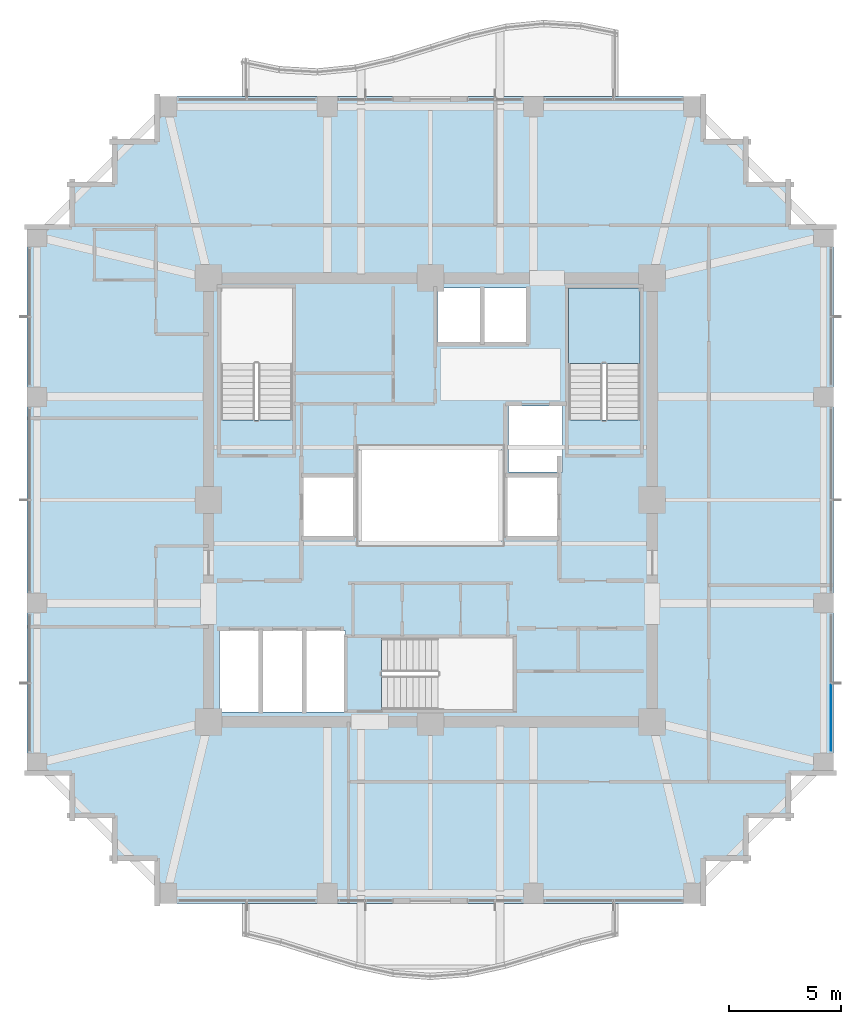
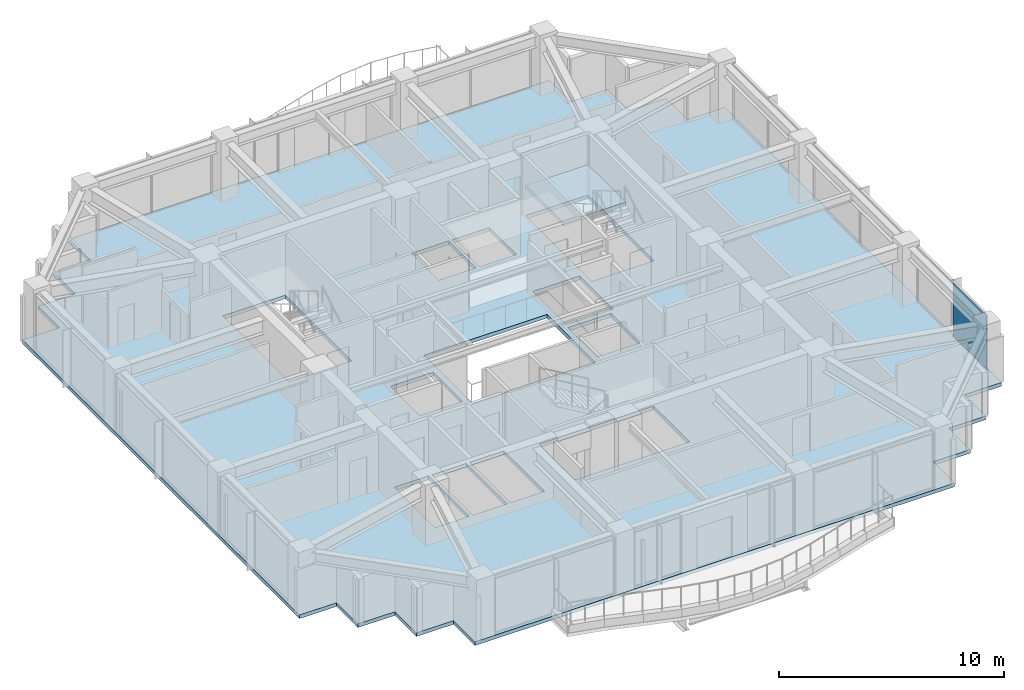
# One storey, part 24 of 31: 2 slabs, 1 plate, 2 elements without a shape of their own.
"""IFC4 building model written with IfcOpenShell, lengths in metres."""

from ifc_helpers import new_model, si_unit, direction, frame, origin, origin_2d, place, context, subcontext, project, spatial, polyline, rectangle, outline, extrude, material, layer, layer_set, type_object, element, aggregate, save


model = new_model("IFC4")

# Units and contexts
model_context = context("Model", 3, precision=1e-05, world=origin(), true_north=direction((0.0, 1.0)))
body_context = subcontext(model_context, "Body", "Model", "MODEL_VIEW")
ifc_project = project(units=[si_unit("LENGTHUNIT", "METRE"), si_unit("AREAUNIT", "SQUARE_METRE"), si_unit("VOLUMEUNIT", "CUBIC_METRE"), si_unit("PLANEANGLEUNIT", "RADIAN"), si_unit("MASSUNIT", "GRAM", prefix="KILO")], contexts=[model_context])

# Site, building, storey
site_placement = place(None, origin())
site = spatial("IfcSite", under=ifc_project, at=site_placement, CompositionType="ELEMENT")
building_placement = place(site_placement, origin())
building = spatial("IfcBuilding", under=site, at=building_placement, Name="Kolvaren Belvedere", CompositionType="ELEMENT")
storey_placement = place(building_placement, frame((0.0, 0.0, 131.60009765625)))
storey = spatial("IfcBuildingStorey", under=building, at=storey_placement, Name="L38", CompositionType="ELEMENT", Elevation=131.60009765625)

# Curtain wall, plate
ifc_material_1 = material(Name="Anodised pale-metal aluminium AA 6063-T6", Category="aluminium")
curtain_wall_type = type_object("IfcCurtainWallType", Name="CW-Z3-WAIST", PredefinedType="NOTDEFINED", material=ifc_material_1)
curtain_wall_placement = place(storey_placement, origin())
curtain_wall = element("IfcCurtainWall", 1, at=curtain_wall_placement, inside=storey, type_object=curtain_wall_type, Name="L38 Unitised Curtain Wall FCW-L38-E-B3", PredefinedType="NOTDEFINED")
ifc_material_2 = material(Name="Low-iron triple insulated glass", Category="glass")
ifc_layer_1 = layer(ifc_material_2, 0.028076171875)
ifc_layer_set_1 = layer_set([ifc_layer_1], Name="Low-iron triple insulated glass")
plate_type = type_object("IfcPlateType", Name="CW-PNL-VIS28", PredefinedType="CURTAIN_PANEL", material=ifc_layer_set_1)
plate_placement = place(storey_placement, frame((17.8798828125, -9.711181640625, 0.079833984375), z_axis=(0.0, 0.0, 1.0), x_axis=(0.0, -1.0, 0.0)))
plate = element("IfcPlate", 2, at=plate_placement, type_object=plate_type, Name="FCW-L38-E-B3 Vision Glazing Panel 2", PredefinedType="CURTAIN_PANEL", context=body_context, shape_type="SweptSolid", body=[
    extrude(rectangle(XDim=2.992431640625, YDim=0.028076171875, at=origin_2d()), origin(), (0.0, 0.0, 1.0), 2.93994140625),
])
aggregate(curtain_wall, [plate])

# Slab
ifc_material_3 = material(Name="Concrete C50/60", Category="concrete")
ifc_layer_2 = layer(ifc_material_3, 0.199951171875)
ifc_layer_set_2 = layer_set([ifc_layer_2], Name="Concrete C50/60")
slab_type_1 = type_object("IfcSlabType", Name="SL-FLR-200", PredefinedType="FLOOR", material=ifc_layer_set_2)
slab_1_placement = place(storey_placement, frame((0.0, 0.0, -0.2001953125)))
element("IfcSlab", 3, at=slab_1_placement, inside=storey, type_object=slab_type_1, Name="L38 Primary Structural Slab", PredefinedType="FLOOR", context=body_context, shape_type="SweptSolid", body=[
    extrude(outline(polyline([(-12.300048828125, -18.0), (12.300048828125, -18.0), (12.300048828125, -16.10009765625), (14.199951171875, -16.10009765625), (14.199951171875, -14.199951171875), (16.10009765625, -14.199951171875), (16.10009765625, -12.300048828125), (18.0, -12.300048828125), (18.0, 12.300048828125), (16.10009765625, 12.300048828125), (16.10009765625, 14.199951171875), (14.199951171875, 14.199951171875), (14.199951171875, 16.10009765625), (12.300048828125, 16.10009765625), (12.300048828125, 18.0), (-12.300048828125, 18.0), (-12.300048828125, 16.10009765625), (-14.199951171875, 16.10009765625), (-14.199951171875, 14.199951171875), (-16.10009765625, 14.199951171875), (-16.10009765625, 12.300048828125), (-18.0, 12.300048828125), (-18.0, -12.300048828125), (-16.10009765625, -12.300048828125), (-16.10009765625, -14.199951171875), (-14.199951171875, -14.199951171875), (-14.199951171875, -16.10009765625), (-12.300048828125, -16.10009765625), (-12.300048828125, -18.0)]), holes=[polyline([(-9.35009765625, 3.580078125), (-6.159912109375, 3.580078125), (-6.159912109375, 9.449951171875), (-9.35009765625, 9.449951171875), (-9.35009765625, 3.580078125)]), polyline([(6.159912109375, 3.580078125), (9.35009765625, 3.580078125), (9.35009765625, 9.449951171875), (6.159912109375, 9.449951171875), (6.159912109375, 3.580078125)]), polyline([(-2.169921875, -9.35009765625), (3.699951171875, -9.35009765625), (3.699951171875, -6.159912109375), (-2.169921875, -6.159912109375), (-2.169921875, -9.35009765625)]), polyline([(-5.64990234375, -1.60009765625), (-3.449951171875, -1.60009765625), (-3.449951171875, 1.0), (-5.64990234375, 1.0), (-5.64990234375, -1.60009765625)]), polyline([(3.5, 1.25), (5.89990234375, 1.25), (5.89990234375, 4.199951171875), (3.5, 4.199951171875), (3.5, 1.25)]), polyline([(3.449951171875, -1.60009765625), (5.64990234375, -1.60009765625), (5.64990234375, 1.0), (3.449951171875, 1.0), (3.449951171875, -1.60009765625)]), polyline([(-9.39990234375, -9.449951171875), (-7.64990234375, -9.449951171875), (-7.64990234375, -5.85009765625), (-9.39990234375, -5.85009765625), (-9.39990234375, -9.449951171875)]), polyline([(-7.469970703125, -9.449951171875), (-5.719970703125, -9.449951171875), (-5.719970703125, -5.85009765625), (-7.469970703125, -5.85009765625), (-7.469970703125, -9.449951171875)]), polyline([(-5.5400390625, -9.449951171875), (-3.7900390625, -9.449951171875), (-3.7900390625, -5.85009765625), (-5.5400390625, -5.85009765625), (-5.5400390625, -9.449951171875)]), polyline([(0.320068359375, 7.050048828125), (2.219970703125, 7.050048828125), (2.219970703125, 9.449951171875), (0.320068359375, 9.449951171875), (0.320068359375, 7.050048828125)]), polyline([(2.39990234375, 7.050048828125), (4.300048828125, 7.050048828125), (4.300048828125, 9.449951171875), (2.39990234375, 9.449951171875), (2.39990234375, 7.050048828125)]), polyline([(-3.14990234375, -1.949951171875), (3.14990234375, -1.949951171875), (3.14990234375, 2.35009765625), (-3.14990234375, 2.35009765625), (-3.14990234375, -1.949951171875)])]), origin(), (0.0, 0.0, 1.0), 0.2001953125),
])

# Stair, slab
ifc_material_4 = material(Name="Concrete C50/60", Category="concrete")
stair_type = type_object("IfcStairType", Name="ST-CORE-1520", PredefinedType="HALF_TURN_STAIR", material=ifc_material_4)
stair_placement = place(storey_placement, origin())
stair = element("IfcStair", 4, at=stair_placement, inside=storey, type_object=stair_type, Name="L38 Protected Exit Stair ST-2", PredefinedType="HALF_TURN_STAIR")
ifc_material_5 = material(Name="Concrete C50/60", Category="concrete")
ifc_layer_3 = layer(ifc_material_5, 0.260009765625)
ifc_layer_set_3 = layer_set([ifc_layer_3], Name="Concrete C50/60")
slab_type_2 = type_object("IfcSlabType", Name="SL-LAND-260", PredefinedType="LANDING", material=ifc_layer_set_3)
slab_2_placement = place(storey_placement, frame((0.0, 0.0, 1.449951171875)))
slab_2 = element("IfcSlab", 5, at=slab_2_placement, type_object=slab_type_2, Name="ST-2 landing 1", PredefinedType="LANDING", context=body_context, shape_type="SweptSolid", body=[
    extrude(outline(polyline([(9.35009765625, 6.090087890625), (9.35009765625, 9.449951171875), (6.159912109375, 9.449951171875), (6.159912109375, 6.090087890625), (9.35009765625, 6.090087890625)])), origin(), (0.0, 0.0, 1.0), 0.199951171875),
])
aggregate(stair, [slab_2])

save(model, "model.ifc")
